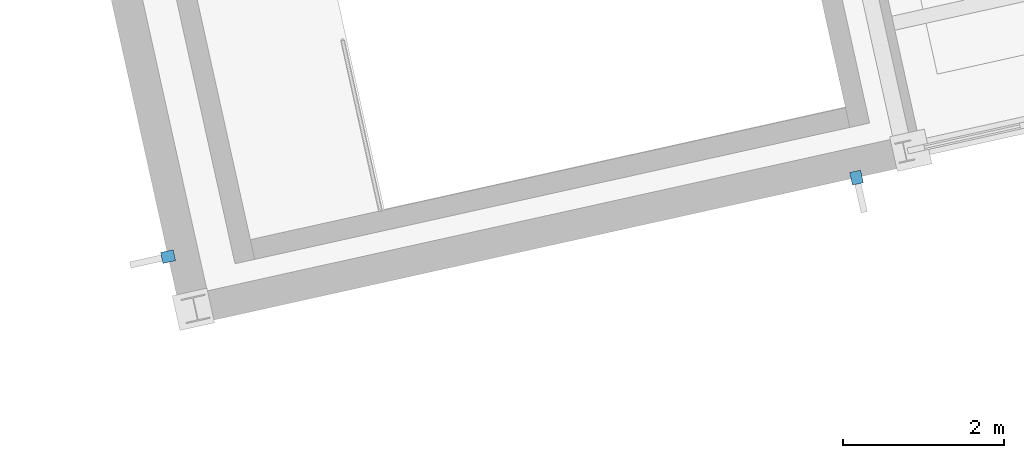
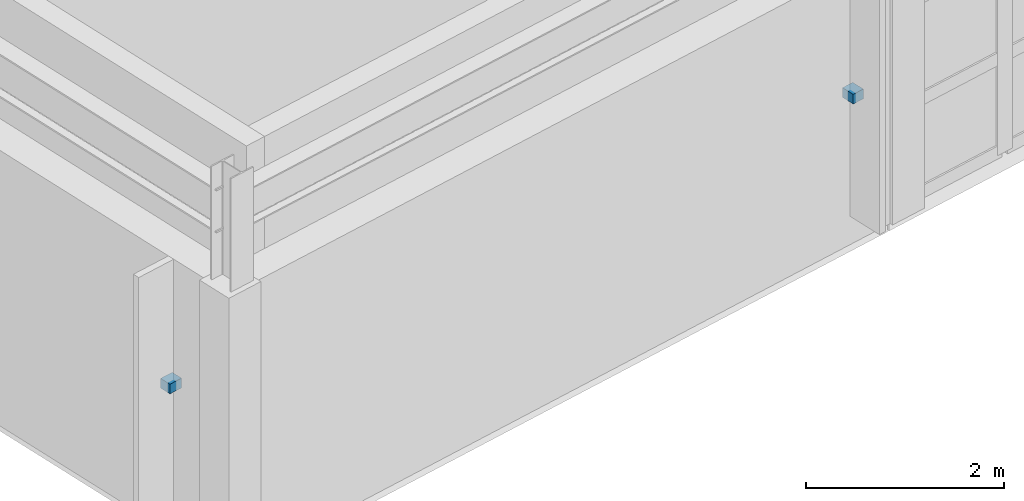
# One storey, part 53 of 59: 2 discrete accessories.
"""IFC4 building model written with IfcOpenShell, lengths in metres."""

import ifcopenshell
import ifcopenshell.guid

model = None  # the IFC model being written
_history = None  # IfcOwnerHistory: only IFC2X3 demands one
_inside = {}  # id of a spatial element -> (the spatial element, [elements in it])
_under = {}  # id of a project, library or spatial element -> (it, [spatial elements below it])
_declared = {}  # id of a project -> (the project, [libraries it declares])
_typed = {}  # id of a type object -> (the type object, [elements of that type])
_made_of = {}  # id of a material, layer set ... -> (it, [elements and type objects made of it])


def new_model(schema):
    """Start an empty IFC model of exactly this schema.

    Asked for "IFC4X3", IfcOpenShell would pick the latest addendum, in which some entities
    have other attributes; the version numbers below select the first issue.
    IFC2X3 requires an IfcOwnerHistory on every rooted entity: one is made here for all.
    """
    global model, _history
    if schema == "IFC4X3":
        model = ifcopenshell.file(schema_version=(4, 3, 0, 0))
    else:
        model = ifcopenshell.file(schema=schema)
    _inside.clear()
    _under.clear()
    _declared.clear()
    _typed.clear()
    _made_of.clear()
    _history = None
    if model.schema == "IFC2X3":
        org = make("IfcOrganization", Name="unknown")
        user = make(
            "IfcPersonAndOrganization",
            ThePerson=make("IfcPerson", FamilyName="unknown"),
            TheOrganization=org,
        )
        app = make(
            "IfcApplication",
            ApplicationDeveloper=org,
            Version="unknown",
            ApplicationFullName="unknown",
            ApplicationIdentifier="unknown",
        )
        _history = make(
            "IfcOwnerHistory",
            OwningUser=user,
            OwningApplication=app,
            ChangeAction="ADDED",
            CreationDate=0,
        )
    return model


def make(cls, **values):
    """One entity of the class cls with the attributes given. An attribute that is None is left unset."""
    return model.create_entity(
        cls, **{name: value for name, value in values.items() if value is not None}
    )


def rooted(cls, **values):
    """An entity with a GlobalId (a new one), such as an element, a storey or a relation."""
    return make(cls, GlobalId=ifcopenshell.guid.new(), OwnerHistory=_history, **values)


def si_unit(unit_type, name, prefix=None):
    """IfcSIUnit, for example si_unit("LENGTHUNIT", "METRE", prefix="MILLI")."""
    return make("IfcSIUnit", UnitType=unit_type, Prefix=prefix, Name=name)


def assignment(units):
    """IfcUnitAssignment: the units of a project."""
    return None if units is None else make("IfcUnitAssignment", Units=units)


def point(xyz):
    """IfcCartesianPoint."""
    return None if xyz is None else make("IfcCartesianPoint", Coordinates=xyz)


def direction(xyz):
    """IfcDirection."""
    return None if xyz is None else make("IfcDirection", DirectionRatios=xyz)


def frame(location, z_axis=None, x_axis=None):
    """IfcAxis2Placement3D, a coordinate frame: its origin and axes. An axis left out is left unset."""
    return make(
        "IfcAxis2Placement3D",
        Location=point(location),
        Axis=direction(z_axis),
        RefDirection=direction(x_axis),
    )


def frame_2d(location, x_axis=None):
    """IfcAxis2Placement2D, a coordinate frame in the plane: its origin and x axis."""
    return make(
        "IfcAxis2Placement2D", Location=point(location), RefDirection=direction(x_axis)
    )


def origin():
    """The frame at (0, 0, 0) with its axes left unset."""
    return frame((0.0, 0.0, 0.0))


def origin_2d():
    """The frame at (0, 0) in the plane with its x axis left unset."""
    return frame_2d((0.0, 0.0))


def place(relative_to, where):
    """IfcLocalPlacement: puts the frame where relative to a parent placement (None: the world)."""
    return make(
        "IfcLocalPlacement", PlacementRelTo=relative_to, RelativePlacement=where
    )


def context(
    kind, dimensions, precision=None, world=None, true_north=None, identifier=None
):
    """IfcGeometricRepresentationContext, for example the 3D "Model" context."""
    return make(
        "IfcGeometricRepresentationContext",
        ContextIdentifier=identifier,
        ContextType=kind,
        CoordinateSpaceDimension=dimensions,
        Precision=precision,
        WorldCoordinateSystem=world,
        TrueNorth=true_north,
    )


def subcontext(parent, identifier, kind, view, scale=None):
    """IfcGeometricRepresentationSubContext, for example "Body" below "Model"."""
    return make(
        "IfcGeometricRepresentationSubContext",
        ContextIdentifier=identifier,
        ContextType=kind,
        ParentContext=parent,
        TargetScale=scale,
        TargetView=view,
    )


def project(units=None, contexts=None):
    """IfcProject with its units and contexts."""
    return rooted(
        "IfcProject",
        Name="project",
        RepresentationContexts=contexts,
        UnitsInContext=assignment(units),
    )


def spatial(cls, under=None, at=None, **own):
    """A site, building, storey or space (cls), placed at a placement, below another one or the project."""
    s = rooted(cls, ObjectPlacement=at, **own)
    if under is not None:
        _under.setdefault(under.id(), (under, []))[1].append(s)
    return s


def profile(cls, at=None, kind="AREA", **sizes):
    """A parametric profile (cls). Its sizes go by their IFC names, for example OverallWidth=200.0."""
    return make(cls, ProfileType=kind, Position=at, **sizes)


def rectangle(**sizes):
    """IfcRectangleProfileDef."""
    return profile("IfcRectangleProfileDef", **sizes)


def extrude(swept, where, along, depth):
    """IfcExtrudedAreaSolid: the profile swept, set in the frame where, extruded along a direction by depth."""
    return make(
        "IfcExtrudedAreaSolid",
        SweptArea=swept,
        Position=where,
        ExtrudedDirection=direction(along),
        Depth=depth,
    )


def shape(context_of_items, identifier, shape_type, items):
    """IfcShapeRepresentation: the items that make up one representation, for example the "Body"."""
    return make(
        "IfcShapeRepresentation",
        ContextOfItems=context_of_items,
        RepresentationIdentifier=identifier,
        RepresentationType=shape_type,
        Items=items,
    )


def material(Name=None, Category=None):
    """IfcMaterial."""
    return make("IfcMaterial", Name=Name, Category=Category)


def made_of(thing, what):
    """Note that an element or type object is made of a material, layer set ...; save() writes the relation."""
    if what is not None:
        _made_of.setdefault(what.id(), (what, []))[1].append(thing)
    return thing


def type_object(cls, material=None, **own):
    """A type object (cls), such as IfcWallType, which elements share."""
    return made_of(rooted(cls, **own), material)


def element(
    cls,
    number,
    at=None,
    inside=None,
    cuts=None,
    type_object=None,
    material=None,
    context=None,
    identifier="Body",
    shape_type=None,
    held_by="IfcProductDefinitionShape",
    body=None,
    shapes=None,
    **own,
):
    """One element of the class cls, such as IfcWall. Its Tag is "e" and its number.

    at: its placement. inside: the storey or other place that contains it. cuts: it is an
    opening in that element (IfcRelVoidsElement). A single representation is given by context,
    identifier, shape_type and body (its items); several are given by shapes. held_by: the class
    of the entity that holds the representations. save() writes the other relations.
    """
    e = rooted(cls, Tag="e%d" % number, ObjectPlacement=at, **own)
    if body is not None:
        shapes = [shape(context, identifier, shape_type, body)]
    if shapes is not None:
        e.Representation = make(held_by, Representations=shapes)
    if inside is not None:
        _inside.setdefault(inside.id(), (inside, []))[1].append(e)
    if cuts is not None:
        rooted(
            "IfcRelVoidsElement", RelatingBuildingElement=cuts, RelatedOpeningElement=e
        )
    if type_object is not None:
        _typed.setdefault(type_object.id(), (type_object, []))[1].append(e)
    return made_of(e, material)


def aggregate(whole, parts):
    """IfcRelAggregates: a whole, such as a stair, and the parts it consists of."""
    return rooted("IfcRelAggregates", RelatingObject=whole, RelatedObjects=parts)


def save(model, path):
    """Write the relations noted so far, then the file.

    IfcRelAggregates (storeys below a building ...), IfcRelContainedInSpatialStructure (elements
    in a storey), IfcRelDefinesByType, IfcRelAssociatesMaterial and IfcRelDeclares: one each for
    every whole, place, type object, material and project.
    """
    for whole, parts in _under.values():
        aggregate(whole, parts)
    for where, things in _inside.values():
        rooted(
            "IfcRelContainedInSpatialStructure",
            RelatedElements=things,
            RelatingStructure=where,
        )
    for kind, things in _typed.values():
        rooted("IfcRelDefinesByType", RelatedObjects=things, RelatingType=kind)
    for what, things in _made_of.values():
        rooted("IfcRelAssociatesMaterial", RelatedObjects=things, RelatingMaterial=what)
    for by, libraries in _declared.values():
        rooted("IfcRelDeclares", RelatingContext=by, RelatedDefinitions=libraries)
    model.write(path)


model = new_model("IFC4")

# Units and contexts
model_context = context("Model", 3, precision=1e-05, world=origin(), true_north=direction((0.0, 1.0)))
body_context = subcontext(model_context, "Body", "Model", "MODEL_VIEW")
ifc_project = project(units=[si_unit("LENGTHUNIT", "METRE"), si_unit("AREAUNIT", "SQUARE_METRE"), si_unit("VOLUMEUNIT", "CUBIC_METRE"), si_unit("PLANEANGLEUNIT", "RADIAN"), si_unit("MASSUNIT", "GRAM", prefix="KILO")], contexts=[model_context])

# Site, building, storey
site_placement = place(None, origin())
site = spatial("IfcSite", under=ifc_project, at=site_placement, CompositionType="ELEMENT")
building_placement = place(site_placement, origin())
building = spatial("IfcBuilding", under=site, at=building_placement, Name="Vireo Bluff Cable Station", CompositionType="ELEMENT")
storey_placement = place(building_placement, frame((0.0, 0.0, 14.39990234375)))
storey = spatial("IfcBuildingStorey", under=building, at=storey_placement, Name="L03", CompositionType="ELEMENT", Elevation=14.39990234375)

# Discrete accessories
ifc_material = material(Name="Stainless Steel 316", Category="steel")
discrete_accessory_type = type_object("IfcDiscreteAccessoryType", Name="FACADE-BRACKET-01", PredefinedType="BRACKET", material=ifc_material)
for number, where, z_axis, x_axis, name in (
    (1, (140.918701171875, 86.8486328125, 1.7900390625), (0.0, 0.0, 1.0), (-0.976296030949, -0.216439506452, 0.0), "V2 L03 solar fin bracket 15"),
    (2, (132.392333984375, 85.870361328125, 1.7900390625), (0.0, 0.0, 1.0), (-0.216439541639, 0.976296023148, 0.0), "V2 L03 solar fin bracket 16"),
):
    element("IfcDiscreteAccessory", number, at=place(storey_placement, frame(where, z_axis=z_axis, x_axis=x_axis)), inside=storey, type_object=discrete_accessory_type, Name=name, PredefinedType="BRACKET", context=body_context, shape_type="SweptSolid", body=[
        extrude(rectangle(XDim=0.139892578125, YDim=0.159912109375, at=origin_2d()), origin(), (0.0, 0.0, 1.0), 0.1201171875),
    ])

save(model, "model.ifc")
